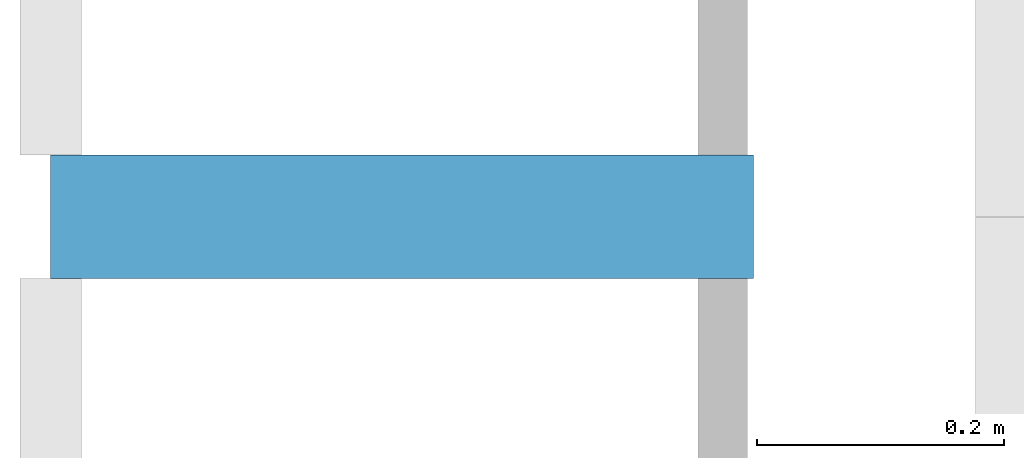
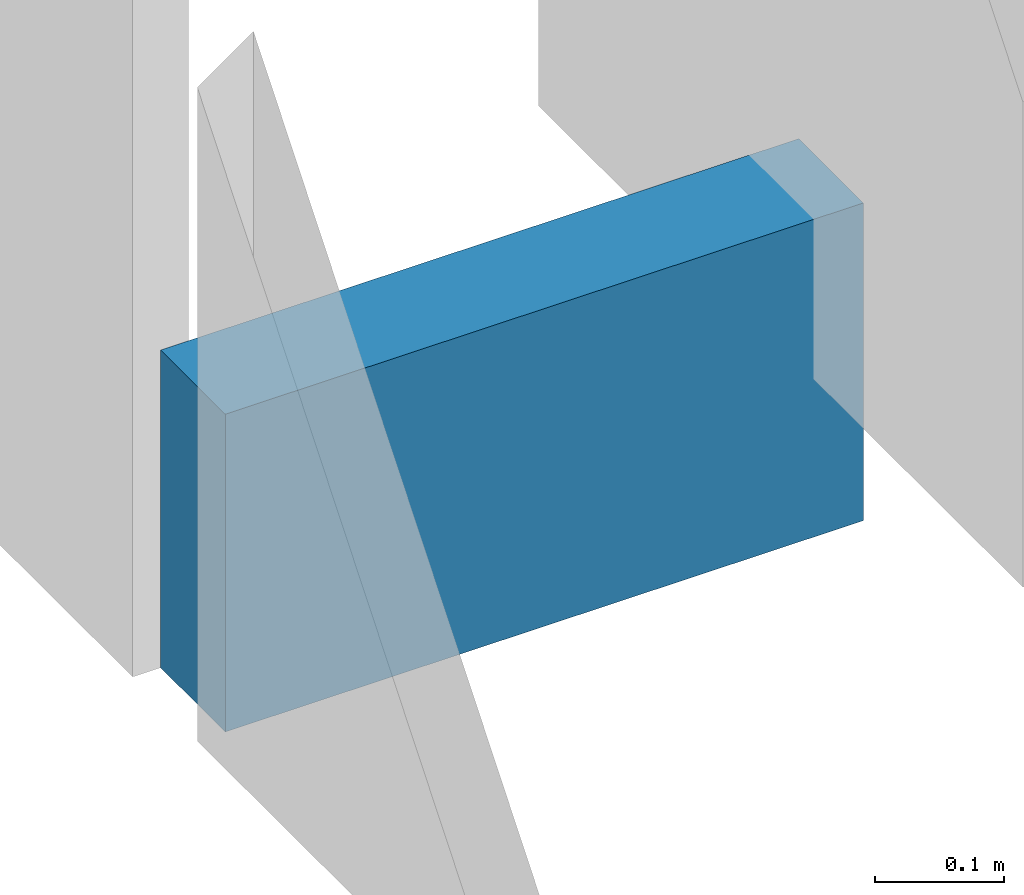
# One storey, part 14 of 21: 1 discrete accessory.
"""IFC4 building model written with IfcOpenShell, lengths in metres."""

from ifc_helpers import new_model, si_unit, direction, frame, origin, origin_2d, place, context, subcontext, project, spatial, rectangle, extrude, material, type_object, element, save


model = new_model("IFC4")

# Units and contexts
model_context = context("Model", 3, precision=1e-05, world=origin(), true_north=direction((0.0, 1.0)))
body_context = subcontext(model_context, "Body", "Model", "MODEL_VIEW")
ifc_project = project(units=[si_unit("LENGTHUNIT", "METRE"), si_unit("AREAUNIT", "SQUARE_METRE"), si_unit("VOLUMEUNIT", "CUBIC_METRE"), si_unit("PLANEANGLEUNIT", "RADIAN"), si_unit("MASSUNIT", "GRAM", prefix="KILO")], contexts=[model_context])

# Site, building, storey
site_placement = place(None, origin())
site = spatial("IfcSite", under=ifc_project, at=site_placement, CompositionType="ELEMENT")
building_placement = place(site_placement, origin())
building = spatial("IfcBuilding", under=site, at=building_placement, Name="Siwar Civic Tower", CompositionType="ELEMENT")
storey_placement = place(building_placement, frame((0.0, 0.0, 303.199951171875)))
storey = spatial("IfcBuildingStorey", under=building, at=storey_placement, Name="L65", CompositionType="ELEMENT", Elevation=303.199951171875)

# Discrete accessory
ifc_material = material(Name="Stainless steel 316", Category="steel")
discrete_accessory_type = type_object("IfcDiscreteAccessoryType", Name="ENV-BRACKET", PredefinedType="BRACKET", material=ifc_material)
discrete_accessory_placement = place(storey_placement, frame((-25.364990234375, 4.5, -0.14990234375), z_axis=(0.0, 0.0, 1.0), x_axis=(-1.0, 0.0, 0.0)))
element("IfcDiscreteAccessory", 1, at=discrete_accessory_placement, inside=storey, type_object=discrete_accessory_type, Name="Bracket outer skin joint W-01", PredefinedType="BRACKET", context=body_context, shape_type="SweptSolid", body=[
    extrude(rectangle(XDim=0.570068359375, YDim=0.10009765625, at=origin_2d()), origin(), (0.0, 0.0, 1.0), 0.300048828125),
])

save(model, "model.ifc")
